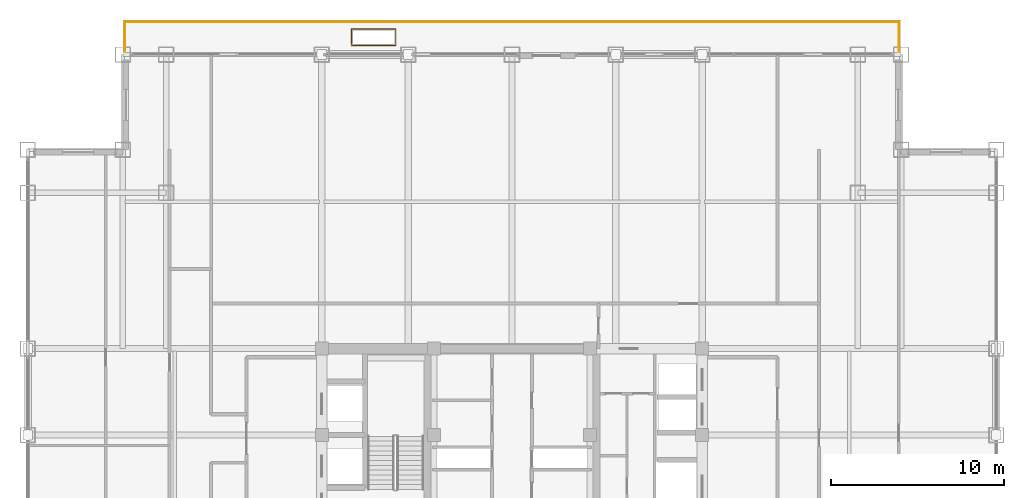
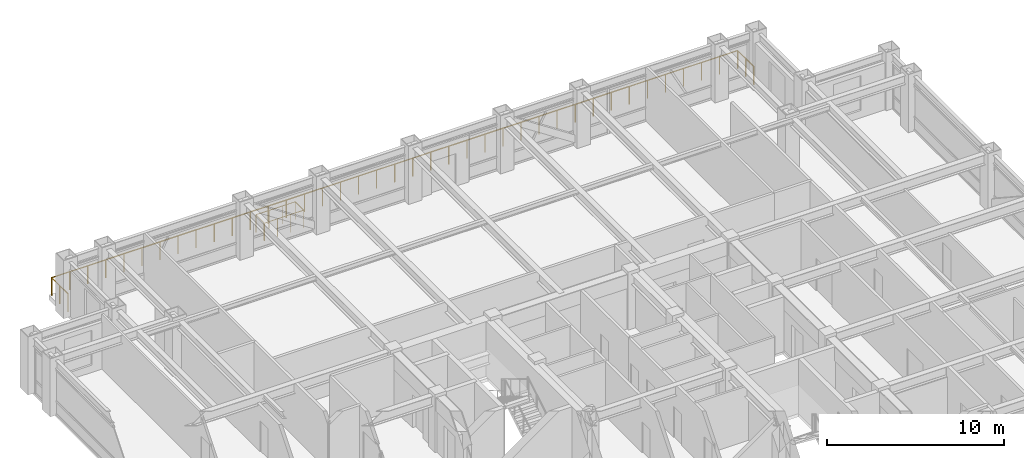
# One storey, part 32 of 32: 2 railings.
"""IFC4 building model written with IfcOpenShell, lengths in metres."""

from ifc_helpers import new_model, si_unit, direction, frame, origin, origin_2d, place, context, subcontext, project, spatial, circle, extrude, source, transform, mapped, material, type_object, element, save


model = new_model("IFC4")

# Units and contexts
model_context = context("Model", 3, precision=1e-05, world=origin(), true_north=direction((0.0, 1.0)))
body_context = subcontext(model_context, "Body", "Model", "MODEL_VIEW")
ifc_project = project(units=[si_unit("LENGTHUNIT", "METRE"), si_unit("AREAUNIT", "SQUARE_METRE"), si_unit("VOLUMEUNIT", "CUBIC_METRE"), si_unit("PLANEANGLEUNIT", "RADIAN"), si_unit("MASSUNIT", "GRAM", prefix="KILO")], contexts=[model_context])

# Site, building, storey
site_placement = place(None, origin())
site = spatial("IfcSite", under=ifc_project, at=site_placement, CompositionType="ELEMENT")
building_placement = place(site_placement, origin())
building = spatial("IfcBuilding", under=site, at=building_placement, Name="Khorayat Bourse Tower", CompositionType="ELEMENT")
storey_placement = place(building_placement, frame((0.0, 0.0, 273.5)))
storey = spatial("IfcBuildingStorey", under=building, at=storey_placement, Name="L64", CompositionType="ELEMENT", Elevation=273.5)

# Railings
ifc_material = material(Name="Laminated glass and bronze balustrade", Category="glass")
railing_type = type_object("IfcRailingType", Name="RLG-TERR-1250", PredefinedType="GUARDRAIL", material=ifc_material)
shared_shape_1 = source(origin(), body_context, "Body", "SweptSolid", [
    extrude(circle(Radius=0.02392578125, at=origin_2d()), frame((0.0, 0.0, 1.22607421875), z_axis=(1.0, 0.0, 0.0), x_axis=(0.0, 1.0, 0.0)), (0.0, 0.0, 1.0), 2.56005859375),
    extrude(circle(Radius=0.02392578125, at=origin_2d()), frame((2.56005859375, 0.0, 1.22607421875), z_axis=(0.0, 1.0, 0.0), x_axis=(-1.0, 0.0, 0.0)), (0.0, 0.0, 1.0), 0.9599609375),
    extrude(circle(Radius=0.02392578125, at=origin_2d()), frame((2.56005859375, 0.9599609375, 1.22607421875), z_axis=(-1.0, 0.0, 0.0), x_axis=(0.0, -1.0, 0.0)), (0.0, 0.0, 1.0), 2.56005859375),
    extrude(circle(Radius=0.02392578125, at=origin_2d()), frame((0.0, 0.9599609375, 1.22607421875), z_axis=(0.0, -1.0, 0.0), x_axis=(1.0, 0.0, 0.0)), (0.0, 0.0, 1.0), 0.8798828125),
    extrude(circle(Radius=0.02099609375, at=origin_2d()), origin(), (0.0, 0.0, 1.0), 1.201904296875),
    extrude(circle(Radius=0.02099609375, at=origin_2d()), frame((0.853271484375, 0.0, 0.0)), (0.0, 0.0, 1.0), 1.201904296875),
    extrude(circle(Radius=0.02099609375, at=origin_2d()), frame((1.706787109375, 0.0, 0.0)), (0.0, 0.0, 1.0), 1.201904296875),
    extrude(circle(Radius=0.02099609375, at=origin_2d()), frame((2.56005859375, 0.0, 0.0)), (0.0, 0.0, 1.0), 1.201904296875),
    extrude(circle(Radius=0.02099609375, at=origin_2d()), frame((2.56005859375, 0.9599609375, 0.0)), (0.0, 0.0, 1.0), 1.201904296875),
    extrude(circle(Radius=0.02099609375, at=origin_2d()), frame((1.706787109375, 0.9599609375, 0.0)), (0.0, 0.0, 1.0), 1.201904296875),
    extrude(circle(Radius=0.02099609375, at=origin_2d()), frame((0.853271484375, 0.9599609375, 0.0)), (0.0, 0.0, 1.0), 1.201904296875),
    extrude(circle(Radius=0.02099609375, at=origin_2d()), frame((0.0, 0.9599609375, 0.0)), (0.0, 0.0, 1.0), 1.201904296875),
    extrude(circle(Radius=0.02099609375, at=origin_2d()), frame((0.0, 0.080078125, 0.0)), (0.0, 0.0, 1.0), 1.201904296875),
])
railing_1_placement = place(storey_placement, frame((-9.280029296875, 28.52001953125, 0.0)))
element("IfcRailing", 1, at=railing_1_placement, inside=storey, type_object=railing_type, Name="L64 Terrace Tree-Pit Guardrail 01", PredefinedType="GUARDRAIL", context=body_context, shape_type="MappedRepresentation", body=[
    mapped(shared_shape_1, transform((0.0, 0.0, 0.0), scale=1.0)),
])
shared_shape_2 = source(origin(), body_context, "Body", "SweptSolid", [
    extrude(circle(Radius=0.02392578125, at=origin_2d()), frame((0.0, 0.0, 1.22607421875), z_axis=(0.0, 1.0, 0.0), x_axis=(-1.0, 0.0, 0.0)), (0.0, 0.0, 1.0), 1.829833984375),
    extrude(circle(Radius=0.02392578125, at=origin_2d()), frame((0.0, 1.829833984375, 1.22607421875), z_axis=(1.0, 0.0, 0.0), x_axis=(0.0, 1.0, 0.0)), (0.0, 0.0, 1.0), 44.759765625),
    extrude(circle(Radius=0.02392578125, at=origin_2d()), frame((44.759765625, 1.829833984375, 1.22607421875), z_axis=(0.0, -1.0, 0.0), x_axis=(1.0, 0.0, 0.0)), (0.0, 0.0, 1.0), 1.829833984375),
    extrude(circle(Radius=0.02099609375, at=origin_2d()), origin(), (0.0, 0.0, 1.0), 1.201904296875),
    extrude(circle(Radius=0.02099609375, at=origin_2d()), frame((0.0, 0.9150390625, 0.0)), (0.0, 0.0, 1.0), 1.201904296875),
    extrude(circle(Radius=0.02099609375, at=origin_2d()), frame((0.0, 1.829833984375, 0.0)), (0.0, 0.0, 1.0), 1.201904296875),
    extrude(circle(Radius=0.02099609375, at=origin_2d()), frame((1.177978515625, 1.829833984375, 0.0)), (0.0, 0.0, 1.0), 1.201904296875),
    extrude(circle(Radius=0.02099609375, at=origin_2d()), frame((2.355712890625, 1.829833984375, 0.0)), (0.0, 0.0, 1.0), 1.201904296875),
    extrude(circle(Radius=0.02099609375, at=origin_2d()), frame((3.53369140625, 1.829833984375, 0.0)), (0.0, 0.0, 1.0), 1.201904296875),
    extrude(circle(Radius=0.02099609375, at=origin_2d()), frame((4.711669921875, 1.829833984375, 0.0)), (0.0, 0.0, 1.0), 1.201904296875),
    extrude(circle(Radius=0.02099609375, at=origin_2d()), frame((5.889404296875, 1.829833984375, 0.0)), (0.0, 0.0, 1.0), 1.201904296875),
    extrude(circle(Radius=0.02099609375, at=origin_2d()), frame((7.0673828125, 1.829833984375, 0.0)), (0.0, 0.0, 1.0), 1.201904296875),
    extrude(circle(Radius=0.02099609375, at=origin_2d()), frame((8.2451171875, 1.829833984375, 0.0)), (0.0, 0.0, 1.0), 1.201904296875),
    extrude(circle(Radius=0.02099609375, at=origin_2d()), frame((9.423095703125, 1.829833984375, 0.0)), (0.0, 0.0, 1.0), 1.201904296875),
    extrude(circle(Radius=0.02099609375, at=origin_2d()), frame((10.60107421875, 1.829833984375, 0.0)), (0.0, 0.0, 1.0), 1.201904296875),
    extrude(circle(Radius=0.02099609375, at=origin_2d()), frame((11.77880859375, 1.829833984375, 0.0)), (0.0, 0.0, 1.0), 1.201904296875),
    extrude(circle(Radius=0.02099609375, at=origin_2d()), frame((12.956787109375, 1.829833984375, 0.0)), (0.0, 0.0, 1.0), 1.201904296875),
    extrude(circle(Radius=0.02099609375, at=origin_2d()), frame((14.134765625, 1.829833984375, 0.0)), (0.0, 0.0, 1.0), 1.201904296875),
    extrude(circle(Radius=0.02099609375, at=origin_2d()), frame((15.3125, 1.829833984375, 0.0)), (0.0, 0.0, 1.0), 1.201904296875),
    extrude(circle(Radius=0.02099609375, at=origin_2d()), frame((16.490478515625, 1.829833984375, 0.0)), (0.0, 0.0, 1.0), 1.201904296875),
    extrude(circle(Radius=0.02099609375, at=origin_2d()), frame((17.668212890625, 1.829833984375, 0.0)), (0.0, 0.0, 1.0), 1.201904296875),
    extrude(circle(Radius=0.02099609375, at=origin_2d()), frame((18.84619140625, 1.829833984375, 0.0)), (0.0, 0.0, 1.0), 1.201904296875),
    extrude(circle(Radius=0.02099609375, at=origin_2d()), frame((20.024169921875, 1.829833984375, 0.0)), (0.0, 0.0, 1.0), 1.201904296875),
    extrude(circle(Radius=0.02099609375, at=origin_2d()), frame((21.201904296875, 1.829833984375, 0.0)), (0.0, 0.0, 1.0), 1.201904296875),
    extrude(circle(Radius=0.02099609375, at=origin_2d()), frame((22.3798828125, 1.829833984375, 0.0)), (0.0, 0.0, 1.0), 1.201904296875),
    extrude(circle(Radius=0.02099609375, at=origin_2d()), frame((23.557861328125, 1.829833984375, 0.0)), (0.0, 0.0, 1.0), 1.201904296875),
    extrude(circle(Radius=0.02099609375, at=origin_2d()), frame((24.735595703125, 1.829833984375, 0.0)), (0.0, 0.0, 1.0), 1.201904296875),
    extrude(circle(Radius=0.02099609375, at=origin_2d()), frame((25.91357421875, 1.829833984375, 0.0)), (0.0, 0.0, 1.0), 1.201904296875),
    extrude(circle(Radius=0.02099609375, at=origin_2d()), frame((27.091552734375, 1.829833984375, 0.0)), (0.0, 0.0, 1.0), 1.201904296875),
    extrude(circle(Radius=0.02099609375, at=origin_2d()), frame((28.269287109375, 1.829833984375, 0.0)), (0.0, 0.0, 1.0), 1.201904296875),
    extrude(circle(Radius=0.02099609375, at=origin_2d()), frame((29.447265625, 1.829833984375, 0.0)), (0.0, 0.0, 1.0), 1.201904296875),
    extrude(circle(Radius=0.02099609375, at=origin_2d()), frame((30.625, 1.829833984375, 0.0)), (0.0, 0.0, 1.0), 1.201904296875),
    extrude(circle(Radius=0.02099609375, at=origin_2d()), frame((31.802978515625, 1.829833984375, 0.0)), (0.0, 0.0, 1.0), 1.201904296875),
    extrude(circle(Radius=0.02099609375, at=origin_2d()), frame((32.98095703125, 1.829833984375, 0.0)), (0.0, 0.0, 1.0), 1.201904296875),
    extrude(circle(Radius=0.02099609375, at=origin_2d()), frame((34.15869140625, 1.829833984375, 0.0)), (0.0, 0.0, 1.0), 1.201904296875),
    extrude(circle(Radius=0.02099609375, at=origin_2d()), frame((35.336669921875, 1.829833984375, 0.0)), (0.0, 0.0, 1.0), 1.201904296875),
    extrude(circle(Radius=0.02099609375, at=origin_2d()), frame((36.5146484375, 1.829833984375, 0.0)), (0.0, 0.0, 1.0), 1.201904296875),
    extrude(circle(Radius=0.02099609375, at=origin_2d()), frame((37.6923828125, 1.829833984375, 0.0)), (0.0, 0.0, 1.0), 1.201904296875),
    extrude(circle(Radius=0.02099609375, at=origin_2d()), frame((38.870361328125, 1.829833984375, 0.0)), (0.0, 0.0, 1.0), 1.201904296875),
    extrude(circle(Radius=0.02099609375, at=origin_2d()), frame((40.048095703125, 1.829833984375, 0.0)), (0.0, 0.0, 1.0), 1.201904296875),
    extrude(circle(Radius=0.02099609375, at=origin_2d()), frame((41.22607421875, 1.829833984375, 0.0)), (0.0, 0.0, 1.0), 1.201904296875),
    extrude(circle(Radius=0.02099609375, at=origin_2d()), frame((42.404052734375, 1.829833984375, 0.0)), (0.0, 0.0, 1.0), 1.201904296875),
    extrude(circle(Radius=0.02099609375, at=origin_2d()), frame((43.581787109375, 1.829833984375, 0.0)), (0.0, 0.0, 1.0), 1.201904296875),
    extrude(circle(Radius=0.02099609375, at=origin_2d()), frame((44.759765625, 1.829833984375, 0.0)), (0.0, 0.0, 1.0), 1.201904296875),
    extrude(circle(Radius=0.02099609375, at=origin_2d()), frame((44.759765625, 0.9150390625, 0.0)), (0.0, 0.0, 1.0), 1.201904296875),
    extrude(circle(Radius=0.02099609375, at=origin_2d()), frame((44.759765625, 0.0, 0.0)), (0.0, 0.0, 1.0), 1.201904296875),
])
railing_2_placement = place(storey_placement, frame((-22.3798828125, 28.050048828125, 0.0)))
element("IfcRailing", 2, at=railing_2_placement, inside=storey, type_object=railing_type, Name="L64 North Setback Terrace Guardrail", PredefinedType="GUARDRAIL", context=body_context, shape_type="MappedRepresentation", body=[
    mapped(shared_shape_2, transform((0.0, 0.0, 0.0), scale=1.0)),
])

save(model, "model.ifc")
